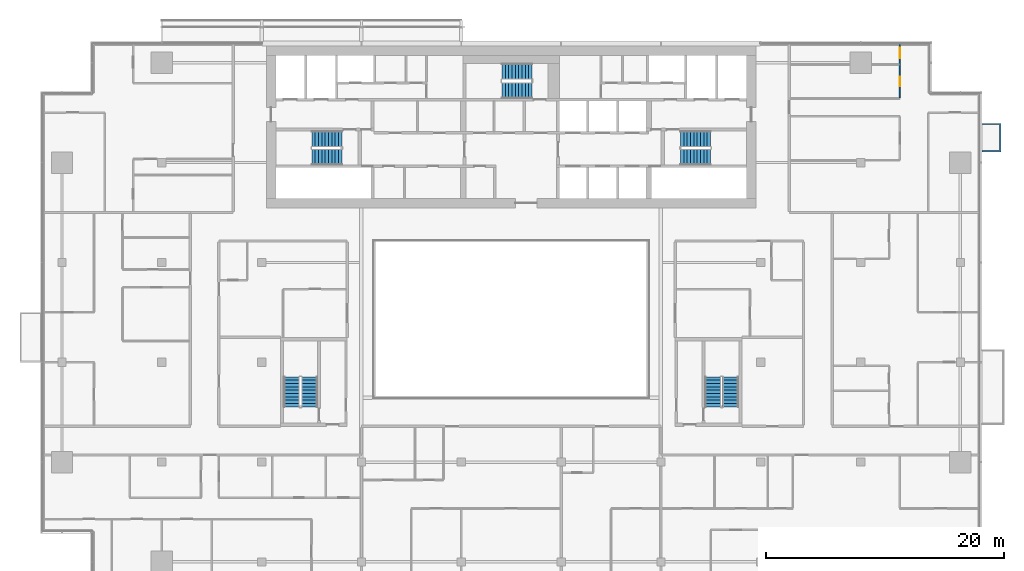
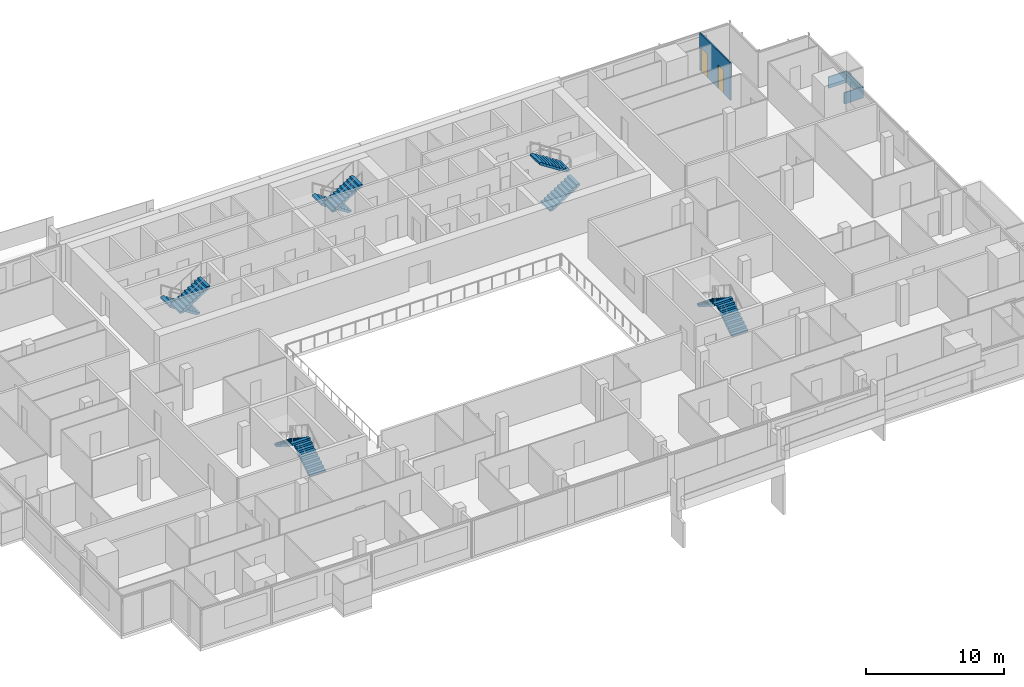
# One storey, part 24 of 28: 10 stair flights, 2 doors, 2 walls, 2 openings, 5 elements without a shape of their own.
"""IFC4 building model written with IfcOpenShell, lengths in metres."""

from ifc_helpers import new_model, si_unit, direction, frame, frame_2d, origin, place, context, subcontext, project, spatial, polyline, rectangle, outline, extrude, material, layer, layer_set, type_object, element, fill, aggregate, save


model = new_model("IFC4")

# Units and contexts
model_context = context("Model", 3, precision=1e-05, world=origin(), true_north=direction((0.0, 1.0)))
body_context = subcontext(model_context, "Body", "Model", "MODEL_VIEW")
ifc_project = project(units=[si_unit("LENGTHUNIT", "METRE"), si_unit("AREAUNIT", "SQUARE_METRE"), si_unit("VOLUMEUNIT", "CUBIC_METRE"), si_unit("PLANEANGLEUNIT", "RADIAN"), si_unit("MASSUNIT", "GRAM", prefix="KILO")], contexts=[model_context])

# Site, building, storey
site_placement = place(None, origin())
site = spatial("IfcSite", under=ifc_project, at=site_placement, CompositionType="ELEMENT")
building_placement = place(site_placement, origin())
building = spatial("IfcBuilding", under=site, at=building_placement, Name="Saffron Gate Tower", CompositionType="ELEMENT")
storey_placement = place(building_placement, frame((0.0, 0.0, 176.25)))
storey = spatial("IfcBuildingStorey", under=building, at=storey_placement, Name="L43", CompositionType="ELEMENT", Elevation=176.25)

# Wall, openings, doors
ifc_material_1 = material(Name="Plasterboard on steel studs", Category="steel")
ifc_layer_1 = layer(ifc_material_1, 0.10009765625)
ifc_layer_set_1 = layer_set([ifc_layer_1], Name="PW1 Partition 100")
wall_type_1 = type_object("IfcWallType", Name="PW1 Partition 100", PredefinedType="PARTITIONING", material=ifc_layer_set_1)
wall_1_placement = place(storey_placement, frame((120.300048828125, 70.85009765625, 0.0), z_axis=(0.0, 0.0, 1.0), x_axis=(0.0, 1.0, 0.0)))
wall_1 = element("IfcWall", 1, at=wall_1_placement, inside=storey, type_object=wall_type_1, Name="Partition C3-114", PredefinedType="PARTITIONING", context=body_context, shape_type="SweptSolid", body=[
    extrude(rectangle(XDim=4.469970703125, YDim=0.10009765625, at=frame_2d((2.23486328125, 0.0))), origin(), (0.0, 0.0, 1.0), 3.320068359375),
])
opening_1_placement = place(wall_1_placement, frame((0.974609375, 0.0, 0.0)))
opening_1 = element("IfcOpeningElement", 2, at=opening_1_placement, cuts=wall_1, Name="Opening C3-52", PredefinedType="OPENING", context=body_context, shape_type="SweptSolid", body=[
    extrude(rectangle(XDim=0.800048828125, YDim=2.10009765625, at=frame_2d((0.39990234375, 1.050048828125))), frame((0.0, 0.06005859375, 0.0), z_axis=(0.0, -1.0, 0.0), x_axis=(1.0, 0.0, 0.0)), (0.0, 0.0, 1.0), 0.1201171875),
])
opening_2_placement = place(wall_1_placement, frame((3.32470703125, 0.0, 0.0)))
opening_2 = element("IfcOpeningElement", 3, at=opening_2_placement, cuts=wall_1, Name="Opening C3-37", PredefinedType="OPENING", context=body_context, shape_type="SweptSolid", body=[
    extrude(rectangle(XDim=0.89990234375, YDim=2.10009765625, at=frame_2d((0.449951171875, 1.050048828125))), frame((0.0, 0.06005859375, 0.0), z_axis=(0.0, -1.0, 0.0), x_axis=(1.0, 0.0, 0.0)), (0.0, 0.0, 1.0), 0.1201171875),
])
ifc_material_2 = material(Name="Timber door set", Category="wood")
door_type_1 = type_object("IfcDoorType", Name="RD1 Room door 900x2100", OperationType="NOTDEFINED", PredefinedType="DOOR", material=ifc_material_2)
door_1_placement = place(opening_2_placement, origin())
door_1 = element("IfcDoor", 4, at=door_1_placement, inside=storey, type_object=door_type_1, Name="Door C3-37", OperationType="SINGLE_SWING_RIGHT", OverallHeight=2.10009765625, OverallWidth=0.89990234375, PredefinedType="DOOR", context=body_context, shape_type="SweptSolid", body=[
    extrude(rectangle(XDim=0.89990234375, YDim=2.10009765625, at=frame_2d((0.449951171875, 1.050048828125))), frame((0.0, 0.02490234375, 0.0), z_axis=(0.0, -1.0, 0.0), x_axis=(1.0, 0.0, 0.0)), (0.0, 0.0, 1.0), 0.050048828125),
])
fill(opening_2, door_1)
door_type_2 = type_object("IfcDoorType", Name="RD2 Bathroom door 800x2100", OperationType="NOTDEFINED", PredefinedType="DOOR", material=ifc_material_2)
door_2_placement = place(opening_1_placement, origin())
door_2 = element("IfcDoor", 5, at=door_2_placement, inside=storey, type_object=door_type_2, Name="Door C3-52", OperationType="SINGLE_SWING_LEFT", OverallHeight=2.10009765625, OverallWidth=0.800048828125, PredefinedType="DOOR", context=body_context, shape_type="SweptSolid", body=[
    extrude(rectangle(XDim=0.800048828125, YDim=2.10009765625, at=frame_2d((0.39990234375, 1.050048828125))), frame((0.0, 0.02490234375, 0.0), z_axis=(0.0, -1.0, 0.0), x_axis=(1.0, 0.0, 0.0)), (0.0, 0.0, 1.0), 0.050048828125),
])
fill(opening_1, door_2)

# Wall
ifc_material_3 = material(Name="Rendered insulated panel, white")
ifc_layer_2 = layer(ifc_material_3, 0.10009765625)
ifc_layer_set_2 = layer_set([ifc_layer_2], Name="WB3 box parapet white")
wall_type_2 = type_object("IfcWallType", Name="WB3 box parapet white", PredefinedType="SOLIDWALL", material=ifc_layer_set_2)
wall_2_placement = place(storey_placement, origin())
element("IfcWall", 6, at=wall_2_placement, inside=storey, type_object=wall_type_2, Name="WINDOW BOX parapet", PredefinedType="SOLIDWALL", context=body_context, shape_type="SweptSolid", body=[
    extrude(outline(polyline([(127.199951171875, 66.300048828125), (127.199951171875, 66.39990234375), (128.699951171875, 66.39990234375), (128.699951171875, 68.60009765625), (127.199951171875, 68.60009765625), (127.199951171875, 68.699951171875), (128.800048828125, 68.699951171875), (128.800048828125, 66.300048828125), (127.199951171875, 66.300048828125)])), origin(), (0.0, 0.0, 1.0), 1.0),
])

# Stair, stair flights
ifc_material_4 = material(Name="Concrete C40", Category="concrete")
stair_type = type_object("IfcStairType", Name="ST7 Stair 1350 wide, 20 risers of 180", PredefinedType="HALF_TURN_STAIR", material=ifc_material_4)
stair_1_placement = place(storey_placement, origin())
stair_1 = element("IfcStair", 7, at=stair_1_placement, inside=storey, type_object=stair_type, Name="L43 Exit stair A", PredefinedType="HALF_TURN_STAIR")
stair_flight_type = type_object("IfcStairFlightType", Name="SF3 Stair flight 1350 wide, riser 180 going 280", PredefinedType="STRAIGHT", material=ifc_material_4)
stair_flight_1_placement = place(storey_placement, frame((73.35009765625, 67.375, 0.0), z_axis=(0.0, 0.0, 1.0), x_axis=(-1.0, 0.0, 0.0)))
stair_flight_1 = element("IfcStairFlight", 8, at=stair_flight_1_placement, type_object=stair_flight_type, Name="ST-A flight 1", NumberOfRisers=10, NumberOfTreads=9, PredefinedType="STRAIGHT", RiserHeight=0.18, TreadLength=0.28, context=body_context, shape_type="SweptSolid", body=[
    extrude(outline(polyline([(0.0, 0.0), (0.0, 0.179931640625), (0.280029296875, 0.179931640625), (0.280029296875, 0.360107421875), (0.56005859375, 0.360107421875), (0.56005859375, 0.5400390625), (0.840087890625, 0.5400390625), (0.840087890625, 0.719970703125), (1.1201171875, 0.719970703125), (1.1201171875, 0.89990234375), (1.39990234375, 0.89990234375), (1.39990234375, 1.080078125), (1.679931640625, 1.080078125), (1.679931640625, 1.260009765625), (1.9599609375, 1.260009765625), (1.9599609375, 1.43994140625), (2.239990234375, 1.43994140625), (2.239990234375, 1.6201171875), (2.52001953125, 1.6201171875), (2.52001953125, 1.800048828125), (2.52001953125, 1.44189453125), (0.277099609375, 0.0), (0.0, 0.0)])), frame((0.0, 0.675048828125, 0.0), z_axis=(0.0, -1.0, 0.0), x_axis=(1.0, 0.0, 0.0)), (0.0, 0.0, 1.0), 1.35009765625),
])
stair_flight_2_placement = place(storey_placement, frame((70.830078125, 65.875, 1.800048828125), z_axis=(0.0, 0.0, 1.0), x_axis=(1.0, 0.0, 0.0)))
stair_flight_2 = element("IfcStairFlight", 9, at=stair_flight_2_placement, type_object=stair_flight_type, Name="ST-A flight 2", NumberOfRisers=10, NumberOfTreads=9, PredefinedType="STRAIGHT", RiserHeight=0.18, TreadLength=0.28, context=body_context, shape_type="SweptSolid", body=[
    extrude(outline(polyline([(0.0, 0.0), (0.0, 0.179931640625), (0.280029296875, 0.179931640625), (0.280029296875, 0.360107421875), (0.56005859375, 0.360107421875), (0.56005859375, 0.5400390625), (0.840087890625, 0.5400390625), (0.840087890625, 0.719970703125), (1.1201171875, 0.719970703125), (1.1201171875, 0.89990234375), (1.39990234375, 0.89990234375), (1.39990234375, 1.080078125), (1.679931640625, 1.080078125), (1.679931640625, 1.260009765625), (1.9599609375, 1.260009765625), (1.9599609375, 1.43994140625), (2.239990234375, 1.43994140625), (2.239990234375, 1.6201171875), (2.52001953125, 1.6201171875), (2.52001953125, 1.800048828125), (2.52001953125, 1.44189453125), (0.277099609375, 0.0), (0.0, 0.0)])), frame((0.0, 0.675048828125, 0.0), z_axis=(0.0, -1.0, 0.0), x_axis=(1.0, 0.0, 0.0)), (0.0, 0.0, 1.0), 1.35009765625),
])
aggregate(stair_1, [stair_flight_1, stair_flight_2])

stair_2_placement = place(storey_placement, origin())
stair_2 = element("IfcStair", 10, at=stair_2_placement, inside=storey, type_object=stair_type, Name="L43 Exit stair B", PredefinedType="HALF_TURN_STAIR")
stair_flight_3_placement = place(storey_placement, frame((101.85009765625, 65.875, 0.0), z_axis=(0.0, 0.0, 1.0), x_axis=(1.0, 0.0, 0.0)))
stair_flight_3 = element("IfcStairFlight", 11, at=stair_flight_3_placement, type_object=stair_flight_type, Name="ST-B flight 1", NumberOfRisers=10, NumberOfTreads=9, PredefinedType="STRAIGHT", RiserHeight=0.18, TreadLength=0.28, context=body_context, shape_type="SweptSolid", body=[
    extrude(outline(polyline([(0.0, 0.0), (0.0, 0.179931640625), (0.280029296875, 0.179931640625), (0.280029296875, 0.360107421875), (0.56005859375, 0.360107421875), (0.56005859375, 0.5400390625), (0.840087890625, 0.5400390625), (0.840087890625, 0.719970703125), (1.1201171875, 0.719970703125), (1.1201171875, 0.89990234375), (1.39990234375, 0.89990234375), (1.39990234375, 1.080078125), (1.679931640625, 1.080078125), (1.679931640625, 1.260009765625), (1.9599609375, 1.260009765625), (1.9599609375, 1.43994140625), (2.239990234375, 1.43994140625), (2.239990234375, 1.6201171875), (2.52001953125, 1.6201171875), (2.52001953125, 1.800048828125), (2.52001953125, 1.44189453125), (0.277099609375, 0.0), (0.0, 0.0)])), frame((0.0, 0.675048828125, 0.0), z_axis=(0.0, -1.0, 0.0), x_axis=(1.0, 0.0, 0.0)), (0.0, 0.0, 1.0), 1.35009765625),
])
stair_flight_4_placement = place(storey_placement, frame((104.3701171875, 67.375, 1.800048828125), z_axis=(0.0, 0.0, 1.0), x_axis=(-1.0, 0.0, 0.0)))
stair_flight_4 = element("IfcStairFlight", 12, at=stair_flight_4_placement, type_object=stair_flight_type, Name="ST-B flight 2", NumberOfRisers=10, NumberOfTreads=9, PredefinedType="STRAIGHT", RiserHeight=0.18, TreadLength=0.28, context=body_context, shape_type="SweptSolid", body=[
    extrude(outline(polyline([(0.0, 0.0), (0.0, 0.179931640625), (0.280029296875, 0.179931640625), (0.280029296875, 0.360107421875), (0.56005859375, 0.360107421875), (0.56005859375, 0.5400390625), (0.840087890625, 0.5400390625), (0.840087890625, 0.719970703125), (1.1201171875, 0.719970703125), (1.1201171875, 0.89990234375), (1.39990234375, 0.89990234375), (1.39990234375, 1.080078125), (1.679931640625, 1.080078125), (1.679931640625, 1.260009765625), (1.9599609375, 1.260009765625), (1.9599609375, 1.43994140625), (2.239990234375, 1.43994140625), (2.239990234375, 1.6201171875), (2.52001953125, 1.6201171875), (2.52001953125, 1.800048828125), (2.52001953125, 1.44189453125), (0.277099609375, 0.0), (0.0, 0.0)])), frame((0.0, 0.675048828125, 0.0), z_axis=(0.0, -1.0, 0.0), x_axis=(1.0, 0.0, 0.0)), (0.0, 0.0, 1.0), 1.35009765625),
])
aggregate(stair_2, [stair_flight_3, stair_flight_4])

stair_3_placement = place(storey_placement, origin())
stair_3 = element("IfcStair", 13, at=stair_3_placement, inside=storey, type_object=stair_type, Name="L43 Exit stair C", PredefinedType="HALF_TURN_STAIR")
stair_flight_5_placement = place(storey_placement, frame((89.35009765625, 73.074951171875, 0.0), z_axis=(0.0, 0.0, 1.0), x_axis=(-1.0, 0.0, 0.0)))
stair_flight_5 = element("IfcStairFlight", 14, at=stair_flight_5_placement, type_object=stair_flight_type, Name="ST-C flight 1", NumberOfRisers=10, NumberOfTreads=9, PredefinedType="STRAIGHT", RiserHeight=0.18, TreadLength=0.28, context=body_context, shape_type="SweptSolid", body=[
    extrude(outline(polyline([(0.0, 0.0), (0.0, 0.179931640625), (0.280029296875, 0.179931640625), (0.280029296875, 0.360107421875), (0.56005859375, 0.360107421875), (0.56005859375, 0.5400390625), (0.840087890625, 0.5400390625), (0.840087890625, 0.719970703125), (1.1201171875, 0.719970703125), (1.1201171875, 0.89990234375), (1.39990234375, 0.89990234375), (1.39990234375, 1.080078125), (1.679931640625, 1.080078125), (1.679931640625, 1.260009765625), (1.9599609375, 1.260009765625), (1.9599609375, 1.43994140625), (2.239990234375, 1.43994140625), (2.239990234375, 1.6201171875), (2.52001953125, 1.6201171875), (2.52001953125, 1.800048828125), (2.52001953125, 1.44189453125), (0.277099609375, 0.0), (0.0, 0.0)])), frame((0.0, 0.675048828125, 0.0), z_axis=(0.0, -1.0, 0.0), x_axis=(1.0, 0.0, 0.0)), (0.0, 0.0, 1.0), 1.35009765625),
])
stair_flight_6_placement = place(storey_placement, frame((86.830078125, 71.47509765625, 1.800048828125), z_axis=(0.0, 0.0, 1.0), x_axis=(1.0, 0.0, 0.0)))
stair_flight_6 = element("IfcStairFlight", 15, at=stair_flight_6_placement, type_object=stair_flight_type, Name="ST-C flight 2", NumberOfRisers=10, NumberOfTreads=9, PredefinedType="STRAIGHT", RiserHeight=0.18, TreadLength=0.28, context=body_context, shape_type="SweptSolid", body=[
    extrude(outline(polyline([(0.0, 0.0), (0.0, 0.179931640625), (0.280029296875, 0.179931640625), (0.280029296875, 0.360107421875), (0.56005859375, 0.360107421875), (0.56005859375, 0.5400390625), (0.840087890625, 0.5400390625), (0.840087890625, 0.719970703125), (1.1201171875, 0.719970703125), (1.1201171875, 0.89990234375), (1.39990234375, 0.89990234375), (1.39990234375, 1.080078125), (1.679931640625, 1.080078125), (1.679931640625, 1.260009765625), (1.9599609375, 1.260009765625), (1.9599609375, 1.43994140625), (2.239990234375, 1.43994140625), (2.239990234375, 1.6201171875), (2.52001953125, 1.6201171875), (2.52001953125, 1.800048828125), (2.52001953125, 1.44189453125), (0.277099609375, 0.0), (0.0, 0.0)])), frame((0.0, 0.675048828125, 0.0), z_axis=(0.0, -1.0, 0.0), x_axis=(1.0, 0.0, 0.0)), (0.0, 0.0, 1.0), 1.35009765625),
])
aggregate(stair_3, [stair_flight_5, stair_flight_6])

stair_4_placement = place(storey_placement, origin())
stair_4 = element("IfcStair", 16, at=stair_4_placement, inside=storey, type_object=stair_type, Name="L43 Exit stair D", PredefinedType="HALF_TURN_STAIR")
stair_flight_7_placement = place(storey_placement, frame((70.625, 44.85009765625, 0.0), z_axis=(0.0, 0.0, 1.0), x_axis=(0.0, 1.0, 0.0)))
stair_flight_7 = element("IfcStairFlight", 17, at=stair_flight_7_placement, type_object=stair_flight_type, Name="ST-D flight 1", NumberOfRisers=10, NumberOfTreads=9, PredefinedType="STRAIGHT", RiserHeight=0.18, TreadLength=0.28, context=body_context, shape_type="SweptSolid", body=[
    extrude(outline(polyline([(0.0, 0.0), (0.0, 0.179931640625), (0.280029296875, 0.179931640625), (0.280029296875, 0.360107421875), (0.56005859375, 0.360107421875), (0.56005859375, 0.5400390625), (0.840087890625, 0.5400390625), (0.840087890625, 0.719970703125), (1.1201171875, 0.719970703125), (1.1201171875, 0.89990234375), (1.39990234375, 0.89990234375), (1.39990234375, 1.080078125), (1.679931640625, 1.080078125), (1.679931640625, 1.260009765625), (1.9599609375, 1.260009765625), (1.9599609375, 1.43994140625), (2.239990234375, 1.43994140625), (2.239990234375, 1.6201171875), (2.52001953125, 1.6201171875), (2.52001953125, 1.800048828125), (2.52001953125, 1.44189453125), (0.277099609375, 0.0), (0.0, 0.0)])), frame((0.0, 0.675048828125, 0.0), z_axis=(0.0, -1.0, 0.0), x_axis=(1.0, 0.0, 0.0)), (0.0, 0.0, 1.0), 1.35009765625),
])
stair_flight_8_placement = place(storey_placement, frame((69.125, 47.3701171875, 1.800048828125), z_axis=(0.0, 0.0, 1.0), x_axis=(0.0, -1.0, 0.0)))
stair_flight_8 = element("IfcStairFlight", 18, at=stair_flight_8_placement, type_object=stair_flight_type, Name="ST-D flight 2", NumberOfRisers=10, NumberOfTreads=9, PredefinedType="STRAIGHT", RiserHeight=0.18, TreadLength=0.28, context=body_context, shape_type="SweptSolid", body=[
    extrude(outline(polyline([(0.0, 0.0), (0.0, 0.179931640625), (0.280029296875, 0.179931640625), (0.280029296875, 0.360107421875), (0.56005859375, 0.360107421875), (0.56005859375, 0.5400390625), (0.840087890625, 0.5400390625), (0.840087890625, 0.719970703125), (1.1201171875, 0.719970703125), (1.1201171875, 0.89990234375), (1.39990234375, 0.89990234375), (1.39990234375, 1.080078125), (1.679931640625, 1.080078125), (1.679931640625, 1.260009765625), (1.9599609375, 1.260009765625), (1.9599609375, 1.43994140625), (2.239990234375, 1.43994140625), (2.239990234375, 1.6201171875), (2.52001953125, 1.6201171875), (2.52001953125, 1.800048828125), (2.52001953125, 1.44189453125), (0.277099609375, 0.0), (0.0, 0.0)])), frame((0.0, 0.675048828125, 0.0), z_axis=(0.0, -1.0, 0.0), x_axis=(1.0, 0.0, 0.0)), (0.0, 0.0, 1.0), 1.35009765625),
])
aggregate(stair_4, [stair_flight_7, stair_flight_8])

stair_5_placement = place(storey_placement, origin())
stair_5 = element("IfcStair", 19, at=stair_5_placement, inside=storey, type_object=stair_type, Name="L43 Exit stair E", PredefinedType="HALF_TURN_STAIR")
stair_flight_9_placement = place(storey_placement, frame((106.074951171875, 44.85009765625, 0.0), z_axis=(0.0, 0.0, 1.0), x_axis=(0.0, 1.0, 0.0)))
stair_flight_9 = element("IfcStairFlight", 20, at=stair_flight_9_placement, type_object=stair_flight_type, Name="ST-E flight 1", NumberOfRisers=10, NumberOfTreads=9, PredefinedType="STRAIGHT", RiserHeight=0.18, TreadLength=0.28, context=body_context, shape_type="SweptSolid", body=[
    extrude(outline(polyline([(0.0, 0.0), (0.0, 0.179931640625), (0.280029296875, 0.179931640625), (0.280029296875, 0.360107421875), (0.56005859375, 0.360107421875), (0.56005859375, 0.5400390625), (0.840087890625, 0.5400390625), (0.840087890625, 0.719970703125), (1.1201171875, 0.719970703125), (1.1201171875, 0.89990234375), (1.39990234375, 0.89990234375), (1.39990234375, 1.080078125), (1.679931640625, 1.080078125), (1.679931640625, 1.260009765625), (1.9599609375, 1.260009765625), (1.9599609375, 1.43994140625), (2.239990234375, 1.43994140625), (2.239990234375, 1.6201171875), (2.52001953125, 1.6201171875), (2.52001953125, 1.800048828125), (2.52001953125, 1.44189453125), (0.277099609375, 0.0), (0.0, 0.0)])), frame((0.0, 0.675048828125, 0.0), z_axis=(0.0, -1.0, 0.0), x_axis=(1.0, 0.0, 0.0)), (0.0, 0.0, 1.0), 1.35009765625),
])
stair_flight_10_placement = place(storey_placement, frame((104.574951171875, 47.3701171875, 1.800048828125), z_axis=(0.0, 0.0, 1.0), x_axis=(0.0, -1.0, 0.0)))
stair_flight_10 = element("IfcStairFlight", 21, at=stair_flight_10_placement, type_object=stair_flight_type, Name="ST-E flight 2", NumberOfRisers=10, NumberOfTreads=9, PredefinedType="STRAIGHT", RiserHeight=0.18, TreadLength=0.28, context=body_context, shape_type="SweptSolid", body=[
    extrude(outline(polyline([(0.0, 0.0), (0.0, 0.179931640625), (0.280029296875, 0.179931640625), (0.280029296875, 0.360107421875), (0.56005859375, 0.360107421875), (0.56005859375, 0.5400390625), (0.840087890625, 0.5400390625), (0.840087890625, 0.719970703125), (1.1201171875, 0.719970703125), (1.1201171875, 0.89990234375), (1.39990234375, 0.89990234375), (1.39990234375, 1.080078125), (1.679931640625, 1.080078125), (1.679931640625, 1.260009765625), (1.9599609375, 1.260009765625), (1.9599609375, 1.43994140625), (2.239990234375, 1.43994140625), (2.239990234375, 1.6201171875), (2.52001953125, 1.6201171875), (2.52001953125, 1.800048828125), (2.52001953125, 1.44189453125), (0.277099609375, 0.0), (0.0, 0.0)])), frame((0.0, 0.675048828125, 0.0), z_axis=(0.0, -1.0, 0.0), x_axis=(1.0, 0.0, 0.0)), (0.0, 0.0, 1.0), 1.35009765625),
])
aggregate(stair_5, [stair_flight_9, stair_flight_10])

save(model, "model.ifc")
